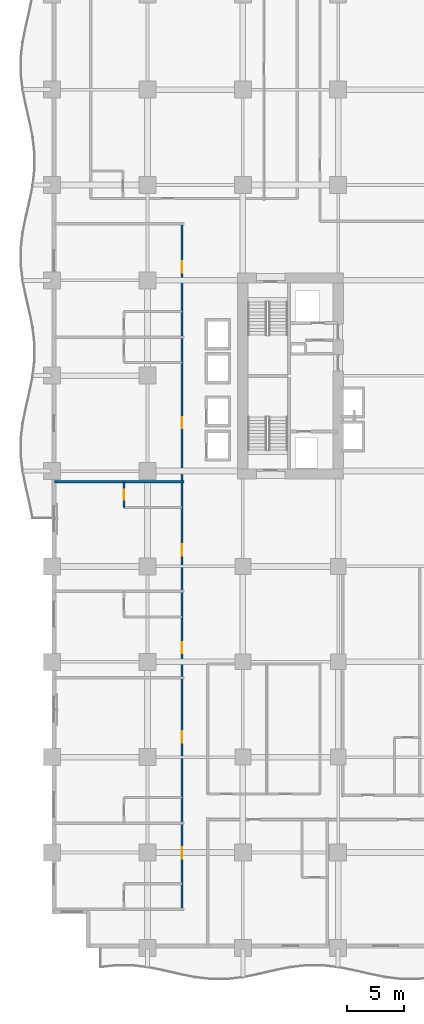
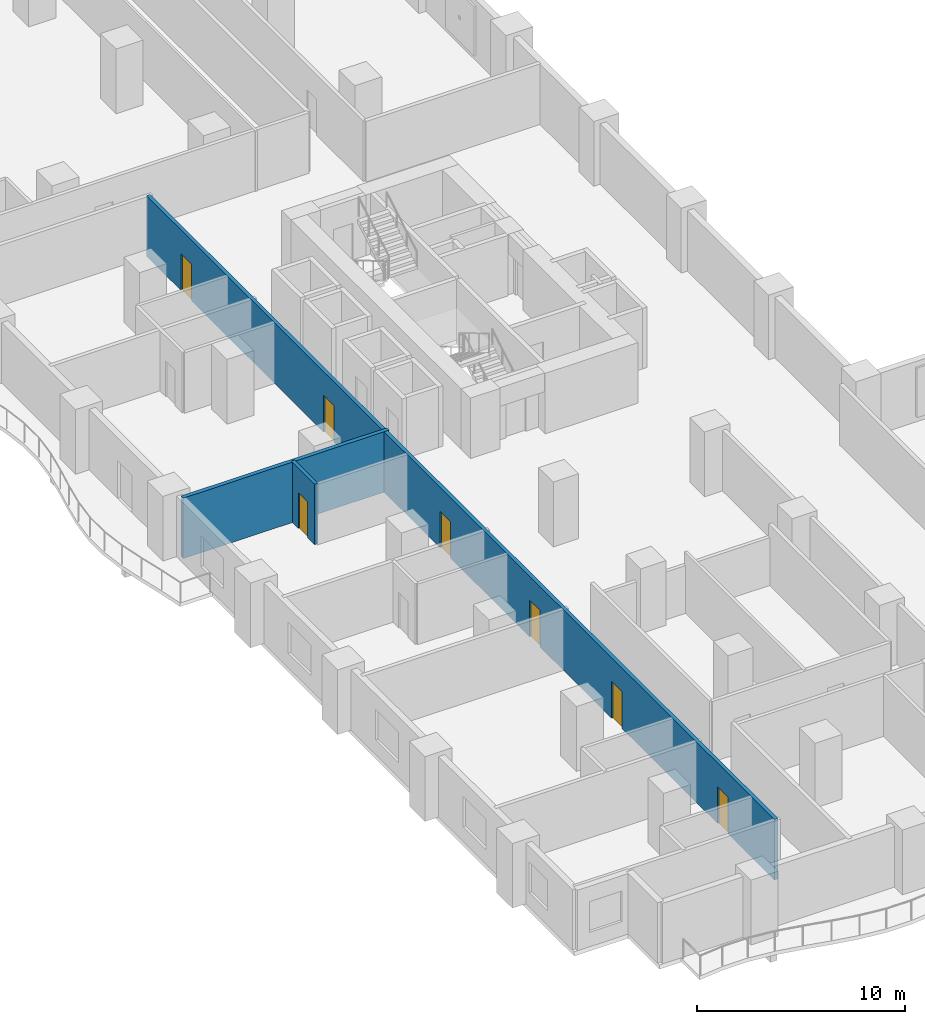
# One storey, part 8 of 20: 7 doors, 3 walls, 7 openings.
"""IFC4 building model written with IfcOpenShell, lengths in metres."""

from ifc_helpers import new_model, si_unit, direction, frame, frame_2d, origin, place, context, subcontext, project, spatial, rectangle, extrude, material, layer, layer_set, type_object, element, fill, save


model = new_model("IFC4")

# Units and contexts
model_context = context("Model", 3, precision=1e-05, world=origin(), true_north=direction((0.0, 1.0)))
body_context = subcontext(model_context, "Body", "Model", "MODEL_VIEW")
ifc_project = project(units=[si_unit("LENGTHUNIT", "METRE"), si_unit("AREAUNIT", "SQUARE_METRE"), si_unit("VOLUMEUNIT", "CUBIC_METRE"), si_unit("PLANEANGLEUNIT", "RADIAN"), si_unit("MASSUNIT", "GRAM", prefix="KILO")], contexts=[model_context])

# Site, building, storey
site_placement = place(None, origin())
site = spatial("IfcSite", under=ifc_project, at=site_placement, CompositionType="ELEMENT")
building_placement = place(site_placement, origin())
building = spatial("IfcBuilding", under=site, at=building_placement, Name="Koriwani Terraces Tower", CompositionType="ELEMENT")
storey_placement = place(building_placement, frame((0.0, 0.0, 66.199951171875)))
storey = spatial("IfcBuildingStorey", under=building, at=storey_placement, Name="L15", CompositionType="ELEMENT", Elevation=66.199951171875)

# Wall, openings, doors
ifc_material_1 = material(Name="Autoclaved Cellular Concrete Blockwork", Category="masonry")
ifc_layer_1 = layer(ifc_material_1, 0.199951171875, Name="Autoclaved Cellular Concrete Blockwork")
ifc_layer_set_1 = layer_set([ifc_layer_1], Name="Autoclaved Cellular Concrete Blockwork")
wall_type_1 = type_object("IfcWallType", Name="WALL_CORRIDOR_200", PredefinedType="PARTITIONING", material=ifc_layer_set_1)
wall_1_placement = place(storey_placement, frame((11.449951171875, 3.39990234375, 0.0), z_axis=(0.0, 0.0, 1.0), x_axis=(0.0, 1.0, 0.0)))
wall_1 = element("IfcWall", 1, at=wall_1_placement, inside=storey, type_object=wall_type_1, Name="L15 Interior Wall WCOR-L15-NW-0", PredefinedType="PARTITIONING", context=body_context, shape_type="SweptSolid", body=[
    extrude(rectangle(XDim=60.400146484375, YDim=0.199951171875, at=frame_2d((30.2001953125, 0.0))), origin(), (0.0, 0.0, 1.0), 3.550048828125),
])
opening_1_placement = place(wall_1_placement, frame((4.465087890625, 0.0, 0.0)))
opening_1 = element("IfcOpeningElement", 2, at=opening_1_placement, cuts=wall_1, Name="Opening D-05", PredefinedType="OPENING", context=body_context, shape_type="SweptSolid", body=[
    extrude(rectangle(XDim=1.0, YDim=2.14990234375, at=frame_2d((0.5, 1.074951171875))), frame((0.0, 0.10986328125, 0.0), z_axis=(0.0, -1.0, 0.0), x_axis=(1.0, 0.0, 0.0)), (0.0, 0.0, 1.0), 0.219970703125),
])
opening_2_placement = place(wall_1_placement, frame((14.6650390625, 0.0, 0.0)))
opening_2 = element("IfcOpeningElement", 3, at=opening_2_placement, cuts=wall_1, Name="Opening D-05", PredefinedType="OPENING", context=body_context, shape_type="SweptSolid", body=[
    extrude(rectangle(XDim=1.0, YDim=2.14990234375, at=frame_2d((0.5, 1.074951171875))), frame((0.0, 0.10986328125, 0.0), z_axis=(0.0, -1.0, 0.0), x_axis=(1.0, 0.0, 0.0)), (0.0, 0.0, 1.0), 0.219970703125),
])
opening_3_placement = place(wall_1_placement, frame((22.534912109375, 0.0, 0.0)))
opening_3 = element("IfcOpeningElement", 4, at=opening_3_placement, cuts=wall_1, Name="Opening D-05", PredefinedType="OPENING", context=body_context, shape_type="SweptSolid", body=[
    extrude(rectangle(XDim=1.0, YDim=2.14990234375, at=frame_2d((0.5, 1.074951171875))), frame((0.0, 0.10986328125, 0.0), z_axis=(0.0, -1.0, 0.0), x_axis=(1.0, 0.0, 0.0)), (0.0, 0.0, 1.0), 0.219970703125),
])
opening_4_placement = place(wall_1_placement, frame((31.159912109375, 0.0, 0.0)))
opening_4 = element("IfcOpeningElement", 5, at=opening_4_placement, cuts=wall_1, Name="Opening D-05", PredefinedType="OPENING", context=body_context, shape_type="SweptSolid", body=[
    extrude(rectangle(XDim=1.0, YDim=2.14990234375, at=frame_2d((0.5, 1.074951171875))), frame((0.0, 0.10986328125, 0.0), z_axis=(0.0, -1.0, 0.0), x_axis=(1.0, 0.0, 0.0)), (0.0, 0.0, 1.0), 0.219970703125),
])
opening_5_placement = place(wall_1_placement, frame((42.360107421875, 0.0, 0.0)))
opening_5 = element("IfcOpeningElement", 6, at=opening_5_placement, cuts=wall_1, Name="Opening D-05", PredefinedType="OPENING", context=body_context, shape_type="SweptSolid", body=[
    extrude(rectangle(XDim=1.0, YDim=2.14990234375, at=frame_2d((0.5, 1.074951171875))), frame((0.0, 0.10986328125, 0.0), z_axis=(0.0, -1.0, 0.0), x_axis=(1.0, 0.0, 0.0)), (0.0, 0.0, 1.0), 0.219970703125),
])
opening_6_placement = place(wall_1_placement, frame((56.06494140625, 0.0, 0.0)))
opening_6 = element("IfcOpeningElement", 7, at=opening_6_placement, cuts=wall_1, Name="Opening D-05", PredefinedType="OPENING", context=body_context, shape_type="SweptSolid", body=[
    extrude(rectangle(XDim=1.0, YDim=2.14990234375, at=frame_2d((0.5, 1.074951171875))), frame((0.0, 0.10986328125, 0.0), z_axis=(0.0, -1.0, 0.0), x_axis=(1.0, 0.0, 0.0)), (0.0, 0.0, 1.0), 0.219970703125),
])
ifc_material_2 = material(Name="Architectural Oak Fire Door", Category="wood")
door_type_1 = type_object("IfcDoorType", Name="DOOR_SUITE_ENTRY_1000X2150", OperationType="NOTDEFINED", PredefinedType="DOOR", material=ifc_material_2)
door_1_placement = place(opening_1_placement, origin())
door_1 = element("IfcDoor", 8, at=door_1_placement, inside=storey, type_object=door_type_1, Name="Luxury Hotel Suite 15NW1 Entrance Door", OperationType="SINGLE_SWING_LEFT", OverallHeight=2.14990234375, OverallWidth=1.0, PredefinedType="DOOR", context=body_context, shape_type="SweptSolid", body=[
    extrude(rectangle(XDim=1.0, YDim=2.14990234375, at=frame_2d((0.5, 1.074951171875))), frame((0.0, 0.02490234375, 0.0), z_axis=(0.0, -1.0, 0.0), x_axis=(1.0, 0.0, 0.0)), (0.0, 0.0, 1.0), 0.050048828125),
])
fill(opening_1, door_1)
door_2_placement = place(opening_2_placement, origin())
door_2 = element("IfcDoor", 9, at=door_2_placement, inside=storey, type_object=door_type_1, Name="Luxury Hotel Suite 15NW2 Entrance Door", OperationType="SINGLE_SWING_LEFT", OverallHeight=2.14990234375, OverallWidth=1.0, PredefinedType="DOOR", context=body_context, shape_type="SweptSolid", body=[
    extrude(rectangle(XDim=1.0, YDim=2.14990234375, at=frame_2d((0.5, 1.074951171875))), frame((0.0, 0.02490234375, 0.0), z_axis=(0.0, -1.0, 0.0), x_axis=(1.0, 0.0, 0.0)), (0.0, 0.0, 1.0), 0.050048828125),
])
fill(opening_2, door_2)
door_3_placement = place(opening_3_placement, origin())
door_3 = element("IfcDoor", 10, at=door_3_placement, inside=storey, type_object=door_type_1, Name="Luxury Hotel Suite 15NW3 Entrance Door", OperationType="SINGLE_SWING_LEFT", OverallHeight=2.14990234375, OverallWidth=1.0, PredefinedType="DOOR", context=body_context, shape_type="SweptSolid", body=[
    extrude(rectangle(XDim=1.0, YDim=2.14990234375, at=frame_2d((0.5, 1.074951171875))), frame((0.0, 0.02490234375, 0.0), z_axis=(0.0, -1.0, 0.0), x_axis=(1.0, 0.0, 0.0)), (0.0, 0.0, 1.0), 0.050048828125),
])
fill(opening_3, door_3)
door_4_placement = place(opening_4_placement, origin())
door_4 = element("IfcDoor", 11, at=door_4_placement, inside=storey, type_object=door_type_1, Name="Luxury Hotel Suite 15NW4 Entrance Door", OperationType="SINGLE_SWING_LEFT", OverallHeight=2.14990234375, OverallWidth=1.0, PredefinedType="DOOR", context=body_context, shape_type="SweptSolid", body=[
    extrude(rectangle(XDim=1.0, YDim=2.14990234375, at=frame_2d((0.5, 1.074951171875))), frame((0.0, 0.02490234375, 0.0), z_axis=(0.0, -1.0, 0.0), x_axis=(1.0, 0.0, 0.0)), (0.0, 0.0, 1.0), 0.050048828125),
])
fill(opening_4, door_4)
door_5_placement = place(opening_5_placement, origin())
door_5 = element("IfcDoor", 12, at=door_5_placement, inside=storey, type_object=door_type_1, Name="Luxury Hotel Suite 15NW5 Entrance Door", OperationType="SINGLE_SWING_LEFT", OverallHeight=2.14990234375, OverallWidth=1.0, PredefinedType="DOOR", context=body_context, shape_type="SweptSolid", body=[
    extrude(rectangle(XDim=1.0, YDim=2.14990234375, at=frame_2d((0.5, 1.074951171875))), frame((0.0, 0.02490234375, 0.0), z_axis=(0.0, -1.0, 0.0), x_axis=(1.0, 0.0, 0.0)), (0.0, 0.0, 1.0), 0.050048828125),
])
fill(opening_5, door_5)
door_6_placement = place(opening_6_placement, origin())
door_6 = element("IfcDoor", 13, at=door_6_placement, inside=storey, type_object=door_type_1, Name="Luxury Hotel Suite 15NW6 Entrance Door", OperationType="SINGLE_SWING_LEFT", OverallHeight=2.14990234375, OverallWidth=1.0, PredefinedType="DOOR", context=body_context, shape_type="SweptSolid", body=[
    extrude(rectangle(XDim=1.0, YDim=2.14990234375, at=frame_2d((0.5, 1.074951171875))), frame((0.0, 0.02490234375, 0.0), z_axis=(0.0, -1.0, 0.0), x_axis=(1.0, 0.0, 0.0)), (0.0, 0.0, 1.0), 0.050048828125),
])
fill(opening_6, door_6)

# Wall
ifc_layer_2 = layer(ifc_material_1, 0.219970703125, Name="Autoclaved Cellular Concrete Blockwork")
ifc_layer_set_2 = layer_set([ifc_layer_2], Name="Autoclaved Cellular Concrete Blockwork")
wall_type_2 = type_object("IfcWallType", Name="WALL_DEMISING_220", PredefinedType="PARTITIONING", material=ifc_layer_set_2)
wall_2_placement = place(storey_placement, frame((0.199951171875, 41.050048828125, 0.0), z_axis=(0.0, 0.0, 1.0), x_axis=(1.0, 0.0, 0.0)))
element("IfcWall", 14, at=wall_2_placement, inside=storey, type_object=wall_type_2, Name="L15 Interior Wall WDEM-L15-NW-4", PredefinedType="PARTITIONING", context=body_context, shape_type="SweptSolid", body=[
    extrude(rectangle(XDim=11.429931640625, YDim=0.219970703125, at=frame_2d((5.71484375, 0.0))), origin(), (0.0, 0.0, 1.0), 3.550048828125),
])

# Wall, opening, door
ifc_material_3 = material(Name="Fire-Rated Acoustic Gypsum Partition", Category="masonry")
ifc_layer_3 = layer(ifc_material_3, 0.179931640625, Name="Fire-Rated Acoustic Gypsum Partition")
ifc_layer_set_3 = layer_set([ifc_layer_3], Name="Fire-Rated Acoustic Gypsum Partition")
wall_type_3 = type_object("IfcWallType", Name="WALL_PLUMBING_180", PredefinedType="PLUMBINGWALL", material=ifc_layer_set_3)
wall_3_placement = place(storey_placement, frame((6.35009765625, 38.800048828125, 0.0), z_axis=(0.0, 0.0, 1.0), x_axis=(0.0, 1.0, 0.0)))
wall_3 = element("IfcWall", 15, at=wall_3_placement, inside=storey, type_object=wall_type_3, Name="L15 Interior Wall WBTH1-L15-NW-3", PredefinedType="PLUMBINGWALL", context=body_context, shape_type="SweptSolid", body=[
    extrude(rectangle(XDim=2.25, YDim=0.179931640625, at=frame_2d((1.125, 0.0))), origin(), (0.0, 0.0, 1.0), 3.550048828125),
])
opening_7_placement = place(wall_3_placement, frame((0.675048828125, 0.0, 0.0)))
opening_7 = element("IfcOpeningElement", 16, at=opening_7_placement, cuts=wall_3, Name="Opening D-07", PredefinedType="OPENING", context=body_context, shape_type="SweptSolid", body=[
    extrude(rectangle(XDim=0.89990234375, YDim=2.10009765625, at=frame_2d((0.449951171875, 1.050048828125))), frame((0.0, 0.10009765625, 0.0), z_axis=(0.0, -1.0, 0.0), x_axis=(1.0, 0.0, 0.0)), (0.0, 0.0, 1.0), 0.199951171875),
])
door_type_2 = type_object("IfcDoorType", Name="DOOR_BATH_INT_900X2100", OperationType="NOTDEFINED", PredefinedType="DOOR", material=ifc_material_2)
door_7_placement = place(opening_7_placement, origin())
door_7 = element("IfcDoor", 17, at=door_7_placement, inside=storey, type_object=door_type_2, Name="En-Suite Bathroom 15NW4 Door", OperationType="SINGLE_SWING_RIGHT", OverallHeight=2.10009765625, OverallWidth=0.89990234375, PredefinedType="DOOR", context=body_context, shape_type="SweptSolid", body=[
    extrude(rectangle(XDim=0.89990234375, YDim=2.10009765625, at=frame_2d((0.449951171875, 1.050048828125))), frame((0.0, 0.02490234375, 0.0), z_axis=(0.0, -1.0, 0.0), x_axis=(1.0, 0.0, 0.0)), (0.0, 0.0, 1.0), 0.050048828125),
])
fill(opening_7, door_7)

save(model, "model.ifc")
